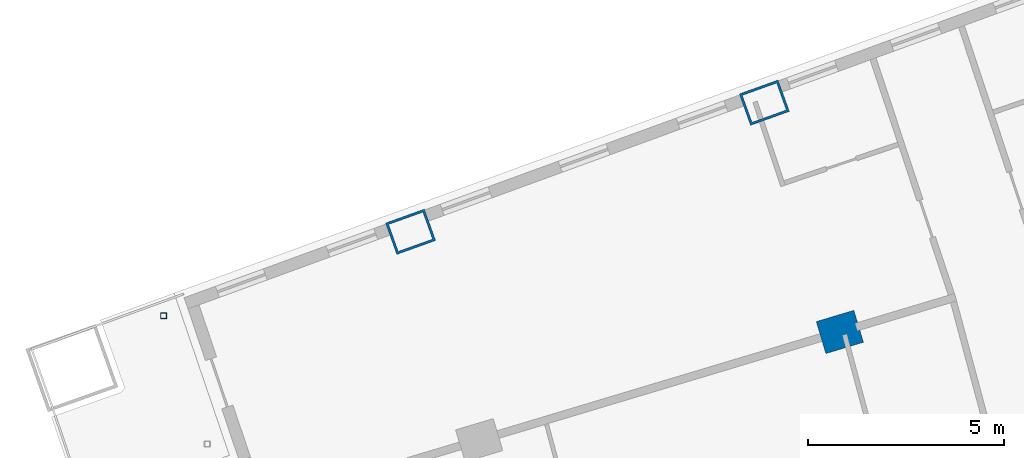
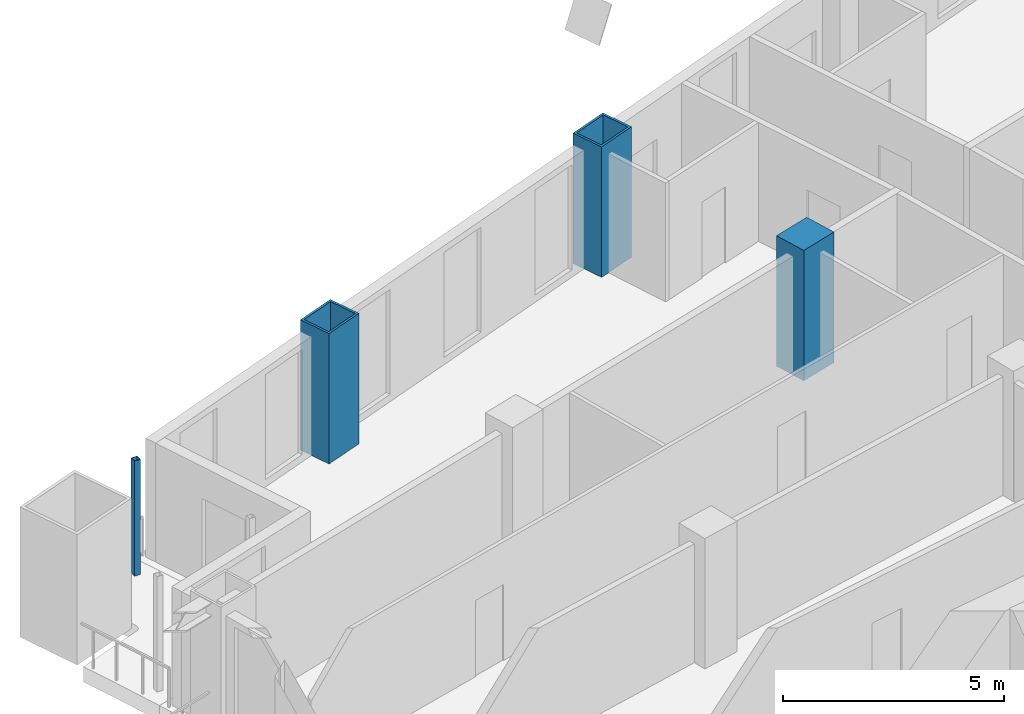
# One storey, part 9 of 25: 4 columns.
"""IFC4 building model written with IfcOpenShell, lengths in metres."""

from ifc_helpers import new_model, si_unit, direction, frame, origin, origin_2d, place, context, subcontext, project, spatial, rectangle, hollow_rectangle, extrude, material, material_profile, profile_set, type_object, element, save


model = new_model("IFC4")

# Units and contexts
model_context = context("Model", 3, precision=1e-05, world=origin(), true_north=direction((0.0, 1.0)))
body_context = subcontext(model_context, "Body", "Model", "MODEL_VIEW")
ifc_project = project(units=[si_unit("LENGTHUNIT", "METRE"), si_unit("AREAUNIT", "SQUARE_METRE"), si_unit("VOLUMEUNIT", "CUBIC_METRE"), si_unit("PLANEANGLEUNIT", "RADIAN"), si_unit("MASSUNIT", "GRAM", prefix="KILO")], contexts=[model_context])

# Site, building, storey
site_placement = place(None, origin())
site = spatial("IfcSite", under=ifc_project, at=site_placement, CompositionType="ELEMENT")
building_placement = place(site_placement, origin())
building = spatial("IfcBuilding", under=site, at=building_placement, Name="Alderwake Tower", CompositionType="ELEMENT")
storey_placement = place(building_placement, frame((0.0, 0.0, 111.199951171875)))
storey = spatial("IfcBuildingStorey", under=building, at=storey_placement, Name="L27", CompositionType="ELEMENT", Elevation=111.199951171875)

# Columns
ifc_material_1 = material(Name="Steel ASTM A572 Grade 50 concrete filled C70/85", Category="concrete")
ifc_material_profile_1 = material_profile(ifc_material_1, hollow_rectangle(XDim=0.85009765625, YDim=1.050048828125, WallThickness=0.06005859375, at=origin_2d()), Name="BOX 1050X850X60")
ifc_profile_set_1 = profile_set([ifc_material_profile_1], Name="Steel ASTM A572 Grade 50 concrete filled C70/85")
column_type_1 = type_object("IfcColumnType", Name="End column Z2", PredefinedType="COLUMN", material=ifc_profile_set_1)
for number, where, z_axis, x_axis, name in (
    (1, (19.965576171875, 96.8515625, 0.0), (0.0, 0.0, 1.0), (-0.337584879279, 0.9412950915, 0.0), "Column R13-C1"),
    (2, (28.983642578125, 100.143310546875, 0.0), (0.0, 0.0, 1.0), (-0.338026774049, 0.941136493834, 0.0), "Column R13-C2"),
):
    element("IfcColumn", number, at=place(storey_placement, frame(where, z_axis=z_axis, x_axis=x_axis)), inside=storey, type_object=column_type_1, Name=name, PredefinedType="COLUMN", context=body_context, shape_type="SweptSolid", body=[
        extrude(hollow_rectangle(XDim=0.85009765625, YDim=1.050048828125, WallThickness=0.06005859375, at=origin_2d()), origin(), (0.0, 0.0, 1.0), 3.60009765625),
    ])
ifc_material_2 = material(Name="Concrete C70/85", Category="concrete")
ifc_material_profile_2 = material_profile(ifc_material_2, rectangle(XDim=0.85009765625, YDim=1.0, at=origin_2d()), Name="RC 1000X850")
ifc_profile_set_2 = profile_set([ifc_material_profile_2], Name="Concrete C70/85")
column_type_2 = type_object("IfcColumnType", Name="Interior column Z2", PredefinedType="COLUMN", material=ifc_profile_set_2)
column_1_placement = place(storey_placement, frame((30.9091796875, 94.298095703125, 0.0), z_axis=(0.0, 0.0, 1.0), x_axis=(-0.287549418125, 0.957765802342, 0.0)))
element("IfcColumn", 3, at=column_1_placement, inside=storey, type_object=column_type_2, Name="Column R12-C2", PredefinedType="COLUMN", context=body_context, shape_type="SweptSolid", body=[
    extrude(rectangle(XDim=0.85009765625, YDim=1.0, at=origin_2d()), origin(), (0.0, 0.0, 1.0), 3.60009765625),
])
ifc_material_3 = material(Name="Steel ASTM A500 Grade C", Category="steel")
ifc_material_profile_3 = material_profile(ifc_material_3, hollow_rectangle(XDim=0.15234375, YDim=0.15234375, WallThickness=0.0087890625, at=origin_2d()), Name="HSS6X6X3/8")
ifc_profile_set_3 = profile_set([ifc_material_profile_3], Name="Steel ASTM A500 Grade C")
column_type_3 = type_object("IfcColumnType", Name="Light post HSS6X6X3/8", PredefinedType="COLUMN", material=ifc_profile_set_3)
column_2_placement = place(storey_placement, frame((13.66796875, 94.71240234375, 0.0), z_axis=(0.0, 0.0, 1.0), x_axis=(1.0, 0.0, 0.0)))
element("IfcColumn", 4, at=column_2_placement, inside=storey, type_object=column_type_3, Name="Terrace post RN2", PredefinedType="COLUMN", context=body_context, shape_type="SweptSolid", body=[
    extrude(hollow_rectangle(XDim=0.15234375, YDim=0.15234375, WallThickness=0.0087890625, at=origin_2d()), origin(), (0.0, 0.0, 1.0), 3.179931640625),
])

save(model, "model.ifc")
